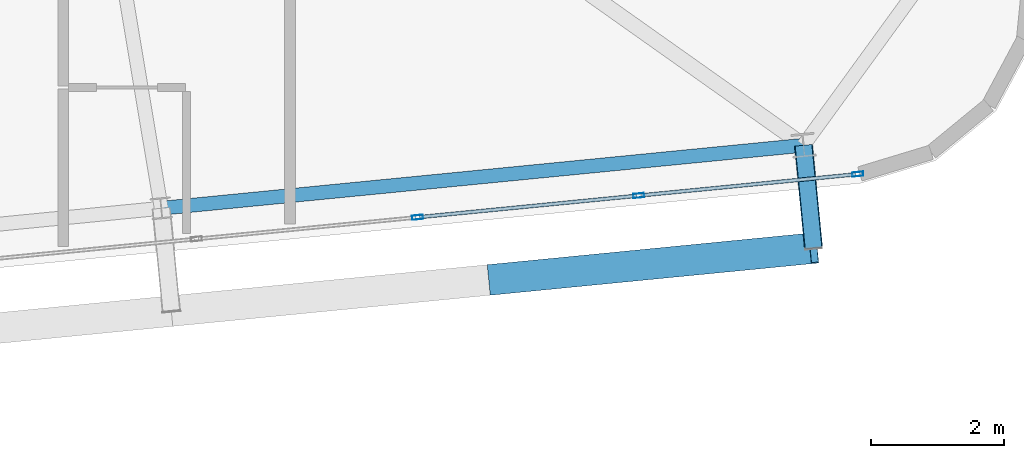
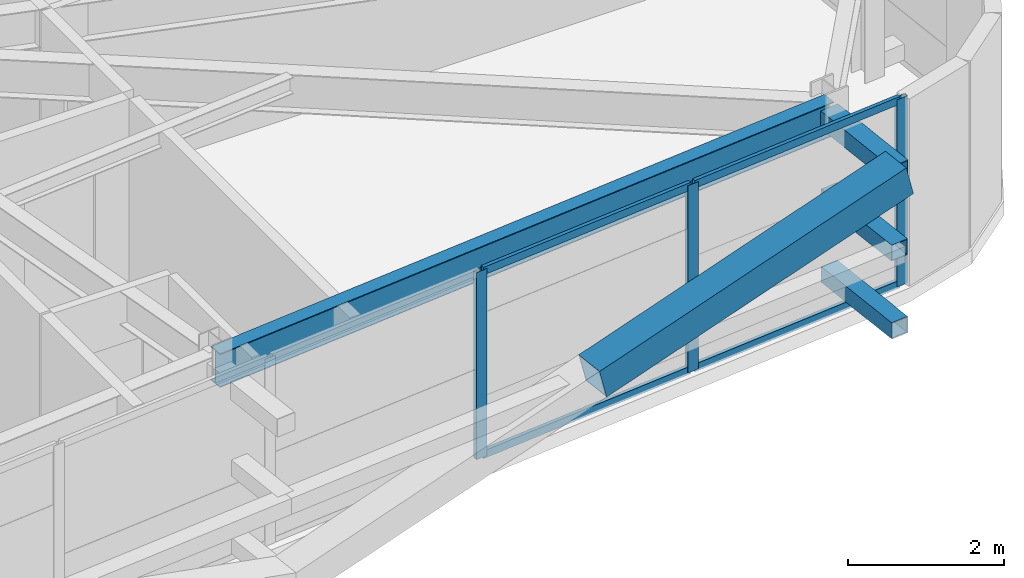
# One storey, part 20 of 53: 11 members, 1 beam, 1 element without a shape of its own.
"""IFC4 building model written with IfcOpenShell, lengths in metres."""

from ifc_helpers import new_model, si_unit, direction, frame, origin, origin_2d, place, context, subcontext, project, spatial, hollow_rectangle, i_section, extrude, source, transform, mapped, material, layer, layer_set, material_profile, profile_set, type_object, element, aggregate, save


model = new_model("IFC4")

# Units and contexts
model_context = context("Model", 3, precision=1e-05, world=origin(), true_north=direction((0.0, 1.0)))
body_context = subcontext(model_context, "Body", "Model", "MODEL_VIEW")
ifc_project = project(units=[si_unit("LENGTHUNIT", "METRE"), si_unit("AREAUNIT", "SQUARE_METRE"), si_unit("VOLUMEUNIT", "CUBIC_METRE"), si_unit("PLANEANGLEUNIT", "RADIAN"), si_unit("MASSUNIT", "GRAM", prefix="KILO")], contexts=[model_context])

# Site, building, storey
site_placement = place(None, origin())
site = spatial("IfcSite", under=ifc_project, at=site_placement, CompositionType="ELEMENT")
building_placement = place(site_placement, origin())
building = spatial("IfcBuilding", under=site, at=building_placement, Name="Taldren Reach Tower", CompositionType="ELEMENT")
storey_placement = place(building_placement, frame((0.0, 0.0, 68.25)))
storey = spatial("IfcBuildingStorey", under=building, at=storey_placement, Name="L20", CompositionType="ELEMENT", Elevation=68.25)

# Members
ifc_material_1 = material(Name="Steel Gr 450 (C450L0)", Category="steel")
ifc_material_profile_1 = material_profile(ifc_material_1, hollow_rectangle(XDim=0.27490234375, YDim=0.27490234375, WallThickness=0.00927734375, at=origin_2d()), Name="275x275x9.3SHS")
ifc_profile_set_1 = profile_set([ifc_material_profile_1], Name="Steel Gr 450 (C450L0)")
member_type_1 = type_object("IfcMemberType", Name="MB-TIE273", PredefinedType="STRUT", material=ifc_profile_set_1)
shared_shape_1 = source(origin(), body_context, "Body", "SweptSolid", [
    extrude(hollow_rectangle(XDim=0.27490234375, YDim=0.27490234375, WallThickness=0.00927734375, at=origin_2d()), origin(), (0.0, 0.0, 1.0), 1.5498046875),
])
member_1_placement = place(storey_placement, frame((63.103271484375, 4.64306640625, 2.64990234375), z_axis=(0.097507178627, -0.995234821595, 0.0), x_axis=(0.995234821595, 0.097507178627, 0.0)))
element("IfcMember", 1, at=member_1_placement, inside=storey, type_object=member_type_1, Name="Exoskeleton diaphragm tie strut B2-S6 L20", PredefinedType="STRUT", context=body_context, shape_type="MappedRepresentation", body=[
    mapped(shared_shape_1, transform((0.0, 0.0, 0.0), scale=1.0)),
])
ifc_material_2 = material(Name="Steel Gr 350 (C350L0)", Category="steel")
ifc_material_profile_2 = material_profile(ifc_material_2, hollow_rectangle(XDim=0.25, YDim=0.25, WallThickness=0.010009765625, at=origin_2d()), Name="250x250x10.0SHS")
ifc_profile_set_2 = profile_set([ifc_material_profile_2], Name="Steel Gr 350 (C350L0)")
member_type_2 = type_object("IfcMemberType", Name="MB-POST250", PredefinedType="POST", material=ifc_profile_set_2)
shared_shape_2 = source(origin(), body_context, "Body", "SweptSolid", [
    extrude(hollow_rectangle(XDim=0.25, YDim=0.25, WallThickness=0.010009765625, at=origin_2d()), origin(), (0.0, 0.0, 1.0), 1.5498046875),
])
for number, where, z_axis, x_axis, name in (
    (2, (63.103271484375, 4.64306640625, 0.219970703125), (0.097507178627, -0.995234821595, 0.0), (0.995234821595, 0.097507178627, 0.0), "Exoskeleton base diaphragm tie strut B2-S6 L20"),
    (3, (63.103271484375, 4.64306640625, 1.43505859375), (0.097507178627, -0.995234821595, 0.0), (0.995234821595, 0.097507178627, 0.0), "Exoskeleton mid-tier diaphragm tie B2-S6 L20"),
):
    element("IfcMember", number, at=place(storey_placement, frame(where, z_axis=z_axis, x_axis=x_axis)), inside=storey, type_object=member_type_2, Name=name, PredefinedType="POST", context=body_context, shape_type="MappedRepresentation", body=[
        mapped(shared_shape_2, transform((0.0, 0.0, 0.0), scale=1.0)),
    ])

# Beam
ifc_material_3 = material(Name="Steel Gr 350 (350PLUS)", Category="steel")
ifc_material_profile_3 = material_profile(ifc_material_3, i_section(OverallWidth=0.208984375, OverallDepth=0.528076171875, WebThickness=0.009521484375, FlangeThickness=0.01318359375, at=origin_2d()), Name="530UB82.0")
ifc_profile_set_3 = profile_set([ifc_material_profile_3], Name="Steel Gr 350 (350PLUS)")
beam_type = type_object("IfcBeamType", Name="SP-UB530B", PredefinedType="SPANDREL", material=ifc_profile_set_3)
shared_shape_3 = source(origin(), body_context, "Body", "SweptSolid", [
    extrude(i_section(OverallWidth=0.208984375, OverallDepth=0.528076171875, WebThickness=0.009521484375, FlangeThickness=0.01318359375, at=origin_2d()), origin(), (0.0, 0.0, 1.0), 9.679931640625),
])
beam_placement = place(storey_placement, frame((53.469482421875, 3.698486328125, 2.666015625), z_axis=(0.995227612658, 0.097580730699, 0.0), x_axis=(-0.097580730699, 0.995227612658, 0.0)))
element("IfcBeam", 4, at=beam_placement, inside=storey, type_object=beam_type, Name="Perimeter spandrel B2 S5-S6 L20", PredefinedType="SPANDREL", context=body_context, shape_type="MappedRepresentation", body=[
    mapped(shared_shape_3, transform((0.0, 0.0, 0.0), scale=1.0)),
])

# Member
ifc_material_profile_4 = material_profile(ifc_material_1, hollow_rectangle(XDim=0.4599609375, YDim=0.4599609375, WallThickness=0.01611328125, at=origin_2d()), Name="460x460x16.0SHS")
ifc_profile_set_4 = profile_set([ifc_material_profile_4], Name="Steel Gr 450 (C450L0)")
member_type_3 = type_object("IfcMemberType", Name="MB-EXO457", PredefinedType="BRACE", material=ifc_profile_set_4)
shared_shape_4 = source(origin(), body_context, "Body", "SweptSolid", [
    extrude(hollow_rectangle(XDim=0.4599609375, YDim=0.4599609375, WallThickness=0.01611328125, at=origin_2d()), origin(), (0.0, 0.0, 1.0), 4.990234375),
])
member_2_placement = place(storey_placement, frame((58.4375, 2.628173828125, 1.43505859375), z_axis=(0.965282554799, 0.094669120301, 0.243448859234), x_axis=(-0.097605711627, 0.995225162995, 0.0)))
element("IfcMember", 5, at=member_2_placement, inside=storey, type_object=member_type_3, Name="Exoskeleton Diagrid Brace B2-S5 L20", PredefinedType="BRACE", context=body_context, shape_type="MappedRepresentation", body=[
    mapped(shared_shape_4, transform((0.0, 0.0, 0.0), scale=1.0)),
])

# Curtain wall, members
ifc_material_4 = material(Name="Aluminium and Low-E Glass Unitised System", Category="aluminium")
ifc_layer = layer(ifc_material_4, 0.159912109375)
ifc_layer_set = layer_set([ifc_layer], Name="Aluminium and Low-E Glass Unitised System")
curtain_wall_type = type_object("IfcCurtainWallType", Name="CW-SYS-3", PredefinedType="NOTDEFINED", material=ifc_layer_set)
curtain_wall_placement = place(storey_placement, origin())
curtain_wall = element("IfcCurtainWall", 6, at=curtain_wall_placement, inside=storey, type_object=curtain_wall_type, Name="Unitised curtain wall CW-L20-S", PredefinedType="NOTDEFINED")
ifc_material_5 = material(Name="Anodised Aluminium 6063-T6", Category="aluminium")
ifc_material_profile_5 = material_profile(ifc_material_5, hollow_rectangle(XDim=0.06494140625, YDim=0.1650390625, WallThickness=0.00390625, at=origin_2d()), Name="ALU-165x65x4RHS")
ifc_profile_set_5 = profile_set([ifc_material_profile_5], Name="Anodised Aluminium 6063-T6")
member_type_4 = type_object("IfcMemberType", Name="CW-MUL-165", PredefinedType="MULLION", material=ifc_profile_set_5)
shared_shape_5 = source(origin(), body_context, "Body", "SweptSolid", [
    extrude(hollow_rectangle(XDim=0.06494140625, YDim=0.1650390625, WallThickness=0.00390625, at=origin_2d()), origin(), (0.0, 0.0, 1.0), 2.929931640625),
])
member_3_placement = place(storey_placement, frame((57.314208984375, 3.56298828125, 0.0), z_axis=(0.0, 0.0, 1.0), x_axis=(-0.097582999046, 0.995227390247, 0.0)))
member_3 = element("IfcMember", 7, at=member_3_placement, type_object=member_type_4, Name="CW-3 mullion 14", PredefinedType="MULLION", context=body_context, shape_type="MappedRepresentation", body=[
    mapped(shared_shape_5, transform((0.0, 0.0, 0.0), scale=1.0)),
])
member_4_placement = place(storey_placement, frame((60.631591796875, 3.888427734375, 0.0), z_axis=(0.0, 0.0, 1.0), x_axis=(-0.097582999046, 0.995227390247, 0.0)))
member_4 = element("IfcMember", 8, at=member_4_placement, type_object=member_type_4, Name="CW-3 mullion 15", PredefinedType="MULLION", context=body_context, shape_type="MappedRepresentation", body=[
    mapped(shared_shape_5, transform((0.0, 0.0, 0.0), scale=1.0)),
])
member_5_placement = place(storey_placement, frame((63.916748046875, 4.21044921875, 0.0), z_axis=(0.0, 0.0, 1.0), x_axis=(-0.097582999046, 0.995227390247, 0.0)))
member_5 = element("IfcMember", 9, at=member_5_placement, type_object=member_type_4, Name="CW-3 mullion 16", PredefinedType="MULLION", context=body_context, shape_type="MappedRepresentation", body=[
    mapped(shared_shape_5, transform((0.0, 0.0, 0.0), scale=1.0)),
])
ifc_material_profile_6 = material_profile(ifc_material_5, hollow_rectangle(XDim=0.054931640625, YDim=0.1201171875, WallThickness=0.0029296875, at=origin_2d()), Name="ALU-120x55x3RHS")
ifc_profile_set_6 = profile_set([ifc_material_profile_6], Name="Anodised Aluminium 6063-T6")
member_type_5 = type_object("IfcMemberType", Name="CW-TRN-135", PredefinedType="USERDEFINED", material=ifc_profile_set_6)
shared_shape_6 = source(origin(), body_context, "Body", "SweptSolid", [
    extrude(hollow_rectangle(XDim=0.054931640625, YDim=0.1201171875, WallThickness=0.0029296875, at=origin_2d()), origin(), (0.0, 0.0, 1.0), 3.23583984375),
])
member_6_placement = place(storey_placement, frame((60.6640625, 3.8916015625, 0.027587890625), z_axis=(0.995230248826, 0.097553840629, 0.0), x_axis=(-0.097553840629, 0.995230248826, 0.0)))
member_6 = element("IfcMember", 10, at=member_6_placement, type_object=member_type_5, Name="CW-3 transom 15.1", ObjectType="TRANSOM", PredefinedType="USERDEFINED", context=body_context, shape_type="MappedRepresentation", body=[
    mapped(shared_shape_6, transform((0.0, 0.0, 0.0), scale=1.0)),
])
member_7_placement = place(storey_placement, frame((60.6640625, 3.8916015625, 2.902587890625), z_axis=(0.995230248826, 0.097553840629, 0.0), x_axis=(-0.097553840629, 0.995230248826, 0.0)))
member_7 = element("IfcMember", 11, at=member_7_placement, type_object=member_type_5, Name="CW-3 transom 15.2", ObjectType="TRANSOM", PredefinedType="USERDEFINED", context=body_context, shape_type="MappedRepresentation", body=[
    mapped(shared_shape_6, transform((0.0, 0.0, 0.0), scale=1.0)),
])
shared_shape_7 = source(origin(), body_context, "Body", "SweptSolid", [
    extrude(hollow_rectangle(XDim=0.054931640625, YDim=0.1201171875, WallThickness=0.0029296875, at=origin_2d()), origin(), (0.0, 0.0, 1.0), 3.268310546875),
])
member_8_placement = place(storey_placement, frame((57.3466796875, 3.566162109375, 0.027587890625), z_axis=(0.995222549564, 0.097632355496, 0.0), x_axis=(-0.097632355496, 0.995222549564, 0.0)))
member_8 = element("IfcMember", 12, at=member_8_placement, type_object=member_type_5, Name="CW-3 transom 14.1", ObjectType="TRANSOM", PredefinedType="USERDEFINED", context=body_context, shape_type="MappedRepresentation", body=[
    mapped(shared_shape_7, transform((0.0, 0.0, 0.0), scale=1.0)),
])
member_9_placement = place(storey_placement, frame((57.3466796875, 3.566162109375, 2.902587890625), z_axis=(0.995222549564, 0.097632355496, 0.0), x_axis=(-0.097632355496, 0.995222549564, 0.0)))
member_9 = element("IfcMember", 13, at=member_9_placement, type_object=member_type_5, Name="CW-3 transom 14.2", ObjectType="TRANSOM", PredefinedType="USERDEFINED", context=body_context, shape_type="MappedRepresentation", body=[
    mapped(shared_shape_7, transform((0.0, 0.0, 0.0), scale=1.0)),
])
aggregate(curtain_wall, [member_3, member_4, member_5, member_8, member_9, member_6, member_7])

save(model, "model.ifc")
